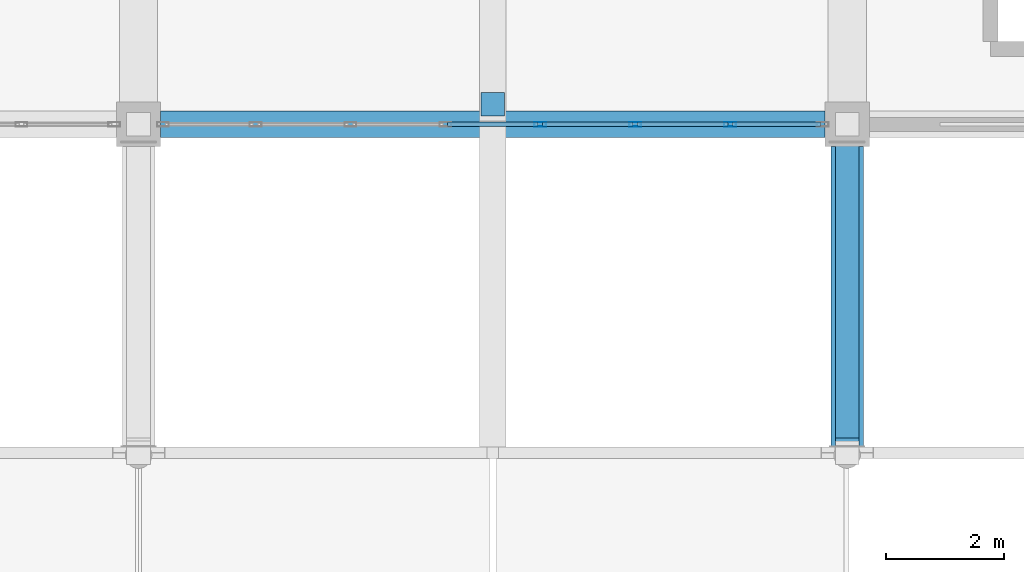
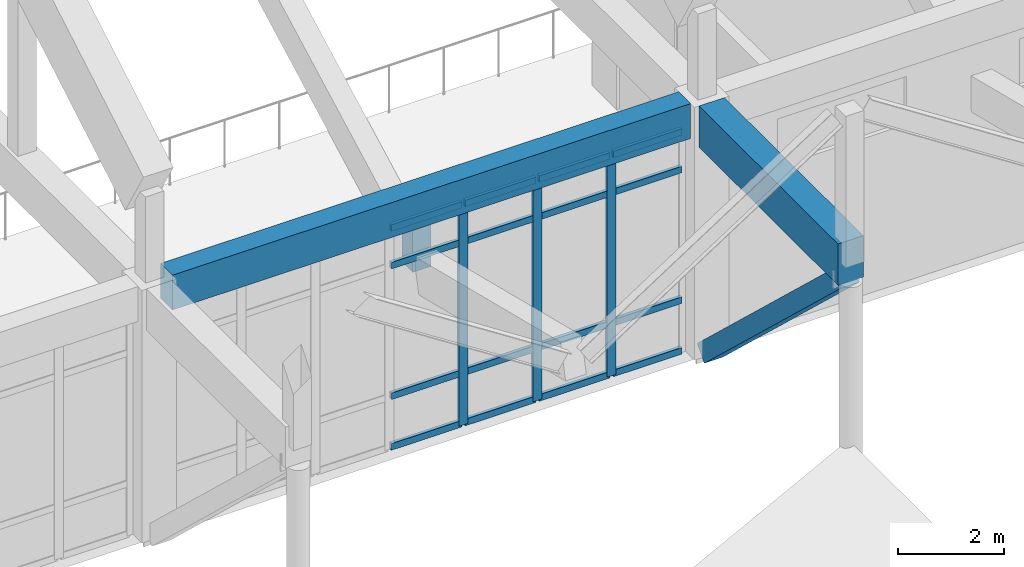
# One storey, part 58 of 236: 21 members, 2 beams, 1 element without a shape of its own.
"""IFC4 building model written with IfcOpenShell, lengths in metres."""

from ifc_helpers import new_model, si_unit, direction, frame, origin, origin_2d, place, context, subcontext, project, spatial, rectangle, hollow_rectangle, extrude, material, layer, layer_set, material_profile, profile_set, type_object, element, aggregate, save


model = new_model("IFC4")

# Units and contexts
model_context = context("Model", 3, precision=1e-05, world=origin(), true_north=direction((0.0, 1.0)))
body_context = subcontext(model_context, "Body", "Model", "MODEL_VIEW")
ifc_project = project(units=[si_unit("LENGTHUNIT", "METRE"), si_unit("AREAUNIT", "SQUARE_METRE"), si_unit("VOLUMEUNIT", "CUBIC_METRE"), si_unit("PLANEANGLEUNIT", "RADIAN"), si_unit("MASSUNIT", "GRAM", prefix="KILO")], contexts=[model_context])

# Site, building, storey
site_placement = place(None, origin())
site = spatial("IfcSite", under=ifc_project, at=site_placement, CompositionType="ELEMENT")
building_placement = place(site_placement, origin())
building = spatial("IfcBuilding", under=site, at=building_placement, Name="Pandanus Reach Market Hall", CompositionType="ELEMENT")
storey_placement = place(building_placement, frame((0.0, 0.0, 5.39990234375)))
storey = spatial("IfcBuildingStorey", under=building, at=storey_placement, Name="L01", CompositionType="ELEMENT", Elevation=5.39990234375)

# Member
ifc_material_1 = material(Name="Concrete N50 (50 MPa)", Category="concrete")
ifc_material_profile_1 = material_profile(ifc_material_1, rectangle(XDim=0.39990234375, YDim=0.39990234375, at=origin_2d()), Name="RC400x400", Category="LoadBearing")
ifc_profile_set_1 = profile_set([ifc_material_profile_1], Name="Concrete N50 (50 MPa)")
member_type_1 = type_object("IfcMemberType", Name="AR-WEB400-E", PredefinedType="STRUT", material=ifc_profile_set_1)
member_1_placement = place(storey_placement, frame((114.0, 29.139892578125, 3.739990234375), z_axis=(0.0, 0.0, 1.0), x_axis=(1.0, 0.0, 0.0)))
element("IfcMember", 1, at=member_1_placement, inside=storey, type_object=member_type_1, Name="Butterfly south eave valley hanger B6S", PredefinedType="STRUT", context=body_context, shape_type="SweptSolid", body=[
    extrude(rectangle(XDim=0.39990234375, YDim=0.39990234375, at=origin_2d()), origin(), (0.0, 0.0, 1.0), 1.66015625),
])

# Beams
ifc_material_2 = material(Name="Concrete N40 (40 MPa)", Category="concrete")
ifc_material_profile_2 = material_profile(ifc_material_2, rectangle(XDim=0.449951171875, YDim=0.800048828125, at=origin_2d()), Name="RC450x800", Category="LoadBearing")
ifc_profile_set_2 = profile_set([ifc_material_profile_2], Name="Concrete N40 (40 MPa)")
beam_type_1 = type_object("IfcBeamType", Name="BM-RC450-E", PredefinedType="SPANDREL", material=ifc_profile_set_2)
beam_1_placement = place(storey_placement, frame((108.373046875, 28.800048828125, 5.400146484375), z_axis=(1.0, 0.0, 0.0), x_axis=(0.0, 1.0, 0.0)))
element("IfcBeam", 2, at=beam_1_placement, inside=storey, type_object=beam_type_1, Name="Framing beam BM-RC450-E L01.1143", PredefinedType="SPANDREL", context=body_context, shape_type="SweptSolid", body=[
    extrude(rectangle(XDim=0.449951171875, YDim=0.800048828125, at=origin_2d()), origin(), (0.0, 0.0, 1.0), 11.25390625),
])
ifc_material_profile_3 = material_profile(ifc_material_1, rectangle(XDim=0.550048828125, YDim=0.949951171875, at=origin_2d()), Name="RC550x950", Category="LoadBearing")
ifc_profile_set_3 = profile_set([ifc_material_profile_3], Name="Concrete N50 (50 MPa)")
beam_type_2 = type_object("IfcBeamType", Name="BM-RC550-E", PredefinedType="BEAM", material=ifc_profile_set_3)
beam_2_placement = place(storey_placement, frame((120.0, 23.199951171875, 5.3251953125), z_axis=(0.0, 1.0, 0.0), x_axis=(-1.0, 0.0, 0.0)))
element("IfcBeam", 3, at=beam_2_placement, inside=storey, type_object=beam_type_2, Name="Zigzag south eaves cantilever girder A7", PredefinedType="BEAM", context=body_context, shape_type="SweptSolid", body=[
    extrude(rectangle(XDim=0.550048828125, YDim=0.949951171875, at=origin_2d()), origin(), (0.0, 0.0, 1.0), 5.22998046875),
])

# Curtain wall, members
ifc_material_3 = material(Name="Bronze anodised aluminium and low-E glass", Category="aluminium")
ifc_layer = layer(ifc_material_3, 0.199951171875, Name="CW-02")
ifc_layer_set = layer_set([ifc_layer], Name="Bronze anodised aluminium and low-E glass")
curtain_wall_type = type_object("IfcCurtainWallType", Name="CW-02", PredefinedType="NOTDEFINED", material=ifc_layer_set)
curtain_wall_placement = place(storey_placement, origin())
curtain_wall = element("IfcCurtainWall", 4, at=curtain_wall_placement, inside=storey, type_object=curtain_wall_type, Name="Glazed curtain wall CW-02 CW-0008", PredefinedType="NOTDEFINED")
ifc_material_4 = material(Name="Bronze anodised aluminium", Category="aluminium")
ifc_material_profile_4 = material_profile(ifc_material_4, hollow_rectangle(XDim=0.074951171875, YDim=0.199951171875, WallThickness=0.00439453125, at=origin_2d()), Name="ALU75x200", Category="LoadBearing")
ifc_profile_set_4 = profile_set([ifc_material_profile_4], Name="Bronze anodised aluminium")
member_type_2 = type_object("IfcMemberType", Name="CW-M2", PredefinedType="MULLION", material=ifc_profile_set_4)
member_2_placement = place(storey_placement, frame((114.803466796875, 28.800048828125, 0.0), z_axis=(0.0, 0.0, 1.0), x_axis=(0.0, 1.0, 0.0)))
member_2 = element("IfcMember", 5, at=member_2_placement, type_object=member_type_2, Name="CW-02 mullion 5", PredefinedType="MULLION", context=body_context, shape_type="SweptSolid", body=[
    extrude(hollow_rectangle(XDim=0.074951171875, YDim=0.199951171875, WallThickness=0.00439453125, at=origin_2d()), origin(), (0.0, 0.0, 1.0), 5.10009765625),
])
member_3_placement = place(storey_placement, frame((116.41064453125, 28.800048828125, 0.0), z_axis=(0.0, 0.0, 1.0), x_axis=(0.0, 1.0, 0.0)))
member_3 = element("IfcMember", 6, at=member_3_placement, type_object=member_type_2, Name="CW-02 mullion 6", PredefinedType="MULLION", context=body_context, shape_type="SweptSolid", body=[
    extrude(hollow_rectangle(XDim=0.074951171875, YDim=0.199951171875, WallThickness=0.00439453125, at=origin_2d()), origin(), (0.0, 0.0, 1.0), 5.10009765625),
])
member_4_placement = place(storey_placement, frame((118.017822265625, 28.800048828125, 0.0), z_axis=(0.0, 0.0, 1.0), x_axis=(0.0, 1.0, 0.0)))
member_4 = element("IfcMember", 7, at=member_4_placement, type_object=member_type_2, Name="CW-02 mullion 7", PredefinedType="MULLION", context=body_context, shape_type="SweptSolid", body=[
    extrude(hollow_rectangle(XDim=0.074951171875, YDim=0.199951171875, WallThickness=0.00439453125, at=origin_2d()), origin(), (0.0, 0.0, 1.0), 5.10009765625),
])
ifc_material_profile_5 = material_profile(ifc_material_4, hollow_rectangle(XDim=0.074951171875, YDim=0.14990234375, WallThickness=0.00439453125, at=origin_2d()), Name="ALU75x150", Category="LoadBearing")
ifc_profile_set_5 = profile_set([ifc_material_profile_5], Name="Bronze anodised aluminium")
member_type_3 = type_object("IfcMemberType", Name="CW-T2", PredefinedType="USERDEFINED", material=ifc_profile_set_5)
member_5_placement = place(storey_placement, frame((113.23388671875, 28.800048828125, 0.03759765625), z_axis=(1.0, 0.0, 0.0), x_axis=(0.0, 1.0, 0.0)))
member_5 = element("IfcMember", 8, at=member_5_placement, type_object=member_type_3, Name="CW-02 transom 4.1", ObjectType="TRANSOM", PredefinedType="USERDEFINED", context=body_context, shape_type="SweptSolid", body=[
    extrude(hollow_rectangle(XDim=0.074951171875, YDim=0.14990234375, WallThickness=0.00439453125, at=origin_2d()), origin(), (0.0, 0.0, 1.0), 1.5322265625),
])
member_6_placement = place(storey_placement, frame((113.23388671875, 28.800048828125, 1.2001953125), z_axis=(1.0, 0.0, 0.0), x_axis=(0.0, 1.0, 0.0)))
member_6 = element("IfcMember", 9, at=member_6_placement, type_object=member_type_3, Name="CW-02 transom 4.2", ObjectType="TRANSOM", PredefinedType="USERDEFINED", context=body_context, shape_type="SweptSolid", body=[
    extrude(hollow_rectangle(XDim=0.074951171875, YDim=0.14990234375, WallThickness=0.00439453125, at=origin_2d()), origin(), (0.0, 0.0, 1.0), 1.5322265625),
])
member_7_placement = place(storey_placement, frame((113.23388671875, 28.800048828125, 4.2001953125), z_axis=(1.0, 0.0, 0.0), x_axis=(0.0, 1.0, 0.0)))
member_7 = element("IfcMember", 10, at=member_7_placement, type_object=member_type_3, Name="CW-02 transom 4.3", ObjectType="TRANSOM", PredefinedType="USERDEFINED", context=body_context, shape_type="SweptSolid", body=[
    extrude(hollow_rectangle(XDim=0.074951171875, YDim=0.14990234375, WallThickness=0.00439453125, at=origin_2d()), origin(), (0.0, 0.0, 1.0), 1.5322265625),
])
member_8_placement = place(storey_placement, frame((113.23388671875, 28.800048828125, 5.0625), z_axis=(1.0, 0.0, 0.0), x_axis=(0.0, 1.0, 0.0)))
member_8 = element("IfcMember", 11, at=member_8_placement, type_object=member_type_3, Name="CW-02 transom 4.4", ObjectType="TRANSOM", PredefinedType="USERDEFINED", context=body_context, shape_type="SweptSolid", body=[
    extrude(hollow_rectangle(XDim=0.074951171875, YDim=0.14990234375, WallThickness=0.00439453125, at=origin_2d()), origin(), (0.0, 0.0, 1.0), 1.5322265625),
])
member_9_placement = place(storey_placement, frame((114.841064453125, 28.800048828125, 0.03759765625), z_axis=(1.0, 0.0, 0.0), x_axis=(0.0, 1.0, 0.0)))
member_9 = element("IfcMember", 12, at=member_9_placement, type_object=member_type_3, Name="CW-02 transom 5.1", ObjectType="TRANSOM", PredefinedType="USERDEFINED", context=body_context, shape_type="SweptSolid", body=[
    extrude(hollow_rectangle(XDim=0.074951171875, YDim=0.14990234375, WallThickness=0.00439453125, at=origin_2d()), origin(), (0.0, 0.0, 1.0), 1.5322265625),
])
member_10_placement = place(storey_placement, frame((114.841064453125, 28.800048828125, 1.2001953125), z_axis=(1.0, 0.0, 0.0), x_axis=(0.0, 1.0, 0.0)))
member_10 = element("IfcMember", 13, at=member_10_placement, type_object=member_type_3, Name="CW-02 transom 5.2", ObjectType="TRANSOM", PredefinedType="USERDEFINED", context=body_context, shape_type="SweptSolid", body=[
    extrude(hollow_rectangle(XDim=0.074951171875, YDim=0.14990234375, WallThickness=0.00439453125, at=origin_2d()), origin(), (0.0, 0.0, 1.0), 1.5322265625),
])
member_11_placement = place(storey_placement, frame((114.841064453125, 28.800048828125, 4.2001953125), z_axis=(1.0, 0.0, 0.0), x_axis=(0.0, 1.0, 0.0)))
member_11 = element("IfcMember", 14, at=member_11_placement, type_object=member_type_3, Name="CW-02 transom 5.3", ObjectType="TRANSOM", PredefinedType="USERDEFINED", context=body_context, shape_type="SweptSolid", body=[
    extrude(hollow_rectangle(XDim=0.074951171875, YDim=0.14990234375, WallThickness=0.00439453125, at=origin_2d()), origin(), (0.0, 0.0, 1.0), 1.5322265625),
])
member_12_placement = place(storey_placement, frame((114.841064453125, 28.800048828125, 5.0625), z_axis=(1.0, 0.0, 0.0), x_axis=(0.0, 1.0, 0.0)))
member_12 = element("IfcMember", 15, at=member_12_placement, type_object=member_type_3, Name="CW-02 transom 5.4", ObjectType="TRANSOM", PredefinedType="USERDEFINED", context=body_context, shape_type="SweptSolid", body=[
    extrude(hollow_rectangle(XDim=0.074951171875, YDim=0.14990234375, WallThickness=0.00439453125, at=origin_2d()), origin(), (0.0, 0.0, 1.0), 1.5322265625),
])
member_13_placement = place(storey_placement, frame((116.4482421875, 28.800048828125, 0.03759765625), z_axis=(1.0, 0.0, 0.0), x_axis=(0.0, 1.0, 0.0)))
member_13 = element("IfcMember", 16, at=member_13_placement, type_object=member_type_3, Name="CW-02 transom 6.1", ObjectType="TRANSOM", PredefinedType="USERDEFINED", context=body_context, shape_type="SweptSolid", body=[
    extrude(hollow_rectangle(XDim=0.074951171875, YDim=0.14990234375, WallThickness=0.00439453125, at=origin_2d()), origin(), (0.0, 0.0, 1.0), 1.5322265625),
])
member_14_placement = place(storey_placement, frame((116.4482421875, 28.800048828125, 1.2001953125), z_axis=(1.0, 0.0, 0.0), x_axis=(0.0, 1.0, 0.0)))
member_14 = element("IfcMember", 17, at=member_14_placement, type_object=member_type_3, Name="CW-02 transom 6.2", ObjectType="TRANSOM", PredefinedType="USERDEFINED", context=body_context, shape_type="SweptSolid", body=[
    extrude(hollow_rectangle(XDim=0.074951171875, YDim=0.14990234375, WallThickness=0.00439453125, at=origin_2d()), origin(), (0.0, 0.0, 1.0), 1.5322265625),
])
member_15_placement = place(storey_placement, frame((116.4482421875, 28.800048828125, 4.2001953125), z_axis=(1.0, 0.0, 0.0), x_axis=(0.0, 1.0, 0.0)))
member_15 = element("IfcMember", 18, at=member_15_placement, type_object=member_type_3, Name="CW-02 transom 6.3", ObjectType="TRANSOM", PredefinedType="USERDEFINED", context=body_context, shape_type="SweptSolid", body=[
    extrude(hollow_rectangle(XDim=0.074951171875, YDim=0.14990234375, WallThickness=0.00439453125, at=origin_2d()), origin(), (0.0, 0.0, 1.0), 1.5322265625),
])
member_16_placement = place(storey_placement, frame((116.4482421875, 28.800048828125, 5.0625), z_axis=(1.0, 0.0, 0.0), x_axis=(0.0, 1.0, 0.0)))
member_16 = element("IfcMember", 19, at=member_16_placement, type_object=member_type_3, Name="CW-02 transom 6.4", ObjectType="TRANSOM", PredefinedType="USERDEFINED", context=body_context, shape_type="SweptSolid", body=[
    extrude(hollow_rectangle(XDim=0.074951171875, YDim=0.14990234375, WallThickness=0.00439453125, at=origin_2d()), origin(), (0.0, 0.0, 1.0), 1.5322265625),
])
member_17_placement = place(storey_placement, frame((118.055419921875, 28.800048828125, 0.03759765625), z_axis=(1.0, 0.0, 0.0), x_axis=(0.0, 1.0, 0.0)))
member_17 = element("IfcMember", 20, at=member_17_placement, type_object=member_type_3, Name="CW-02 transom 7.1", ObjectType="TRANSOM", PredefinedType="USERDEFINED", context=body_context, shape_type="SweptSolid", body=[
    extrude(hollow_rectangle(XDim=0.074951171875, YDim=0.14990234375, WallThickness=0.00439453125, at=origin_2d()), origin(), (0.0, 0.0, 1.0), 1.49462890625),
])
member_18_placement = place(storey_placement, frame((118.055419921875, 28.800048828125, 1.2001953125), z_axis=(1.0, 0.0, 0.0), x_axis=(0.0, 1.0, 0.0)))
member_18 = element("IfcMember", 21, at=member_18_placement, type_object=member_type_3, Name="CW-02 transom 7.2", ObjectType="TRANSOM", PredefinedType="USERDEFINED", context=body_context, shape_type="SweptSolid", body=[
    extrude(hollow_rectangle(XDim=0.074951171875, YDim=0.14990234375, WallThickness=0.00439453125, at=origin_2d()), origin(), (0.0, 0.0, 1.0), 1.49462890625),
])
member_19_placement = place(storey_placement, frame((118.055419921875, 28.800048828125, 4.2001953125), z_axis=(1.0, 0.0, 0.0), x_axis=(0.0, 1.0, 0.0)))
member_19 = element("IfcMember", 22, at=member_19_placement, type_object=member_type_3, Name="CW-02 transom 7.3", ObjectType="TRANSOM", PredefinedType="USERDEFINED", context=body_context, shape_type="SweptSolid", body=[
    extrude(hollow_rectangle(XDim=0.074951171875, YDim=0.14990234375, WallThickness=0.00439453125, at=origin_2d()), origin(), (0.0, 0.0, 1.0), 1.49462890625),
])
member_20_placement = place(storey_placement, frame((118.055419921875, 28.800048828125, 5.0625), z_axis=(1.0, 0.0, 0.0), x_axis=(0.0, 1.0, 0.0)))
member_20 = element("IfcMember", 23, at=member_20_placement, type_object=member_type_3, Name="CW-02 transom 7.4", ObjectType="TRANSOM", PredefinedType="USERDEFINED", context=body_context, shape_type="SweptSolid", body=[
    extrude(hollow_rectangle(XDim=0.074951171875, YDim=0.14990234375, WallThickness=0.00439453125, at=origin_2d()), origin(), (0.0, 0.0, 1.0), 1.49462890625),
])
aggregate(curtain_wall, [member_2, member_3, member_4, member_5, member_6, member_7, member_8, member_9, member_10, member_11, member_12, member_13, member_14, member_15, member_16, member_17, member_18, member_19, member_20])

# Member
ifc_material_profile_6 = material_profile(ifc_material_1, rectangle(XDim=0.39990234375, YDim=0.39990234375, at=origin_2d()), Name="RC400x400", Category="LoadBearing")
ifc_profile_set_6 = profile_set([ifc_material_profile_6], Name="Concrete N50 (50 MPa)")
member_type_4 = type_object("IfcMemberType", Name="VS-RC400-E", PredefinedType="STRUT", material=ifc_profile_set_6)
member_21_placement = place(storey_placement, frame((120.0, 28.5, 0.050048828125), z_axis=(0.0, -0.72797908325, 0.68559933952), x_axis=(1.0, 0.0, 0.0)))
element("IfcMember", 24, at=member_21_placement, inside=storey, type_object=member_type_4, Name="Splayed concrete south arcade V-strut A7.1", PredefinedType="STRUT", context=body_context, shape_type="SweptSolid", body=[
    extrude(rectangle(XDim=0.39990234375, YDim=0.39990234375, at=origin_2d()), origin(), (0.0, 0.0, 1.0), 7.07421875),
])

save(model, "model.ifc")
